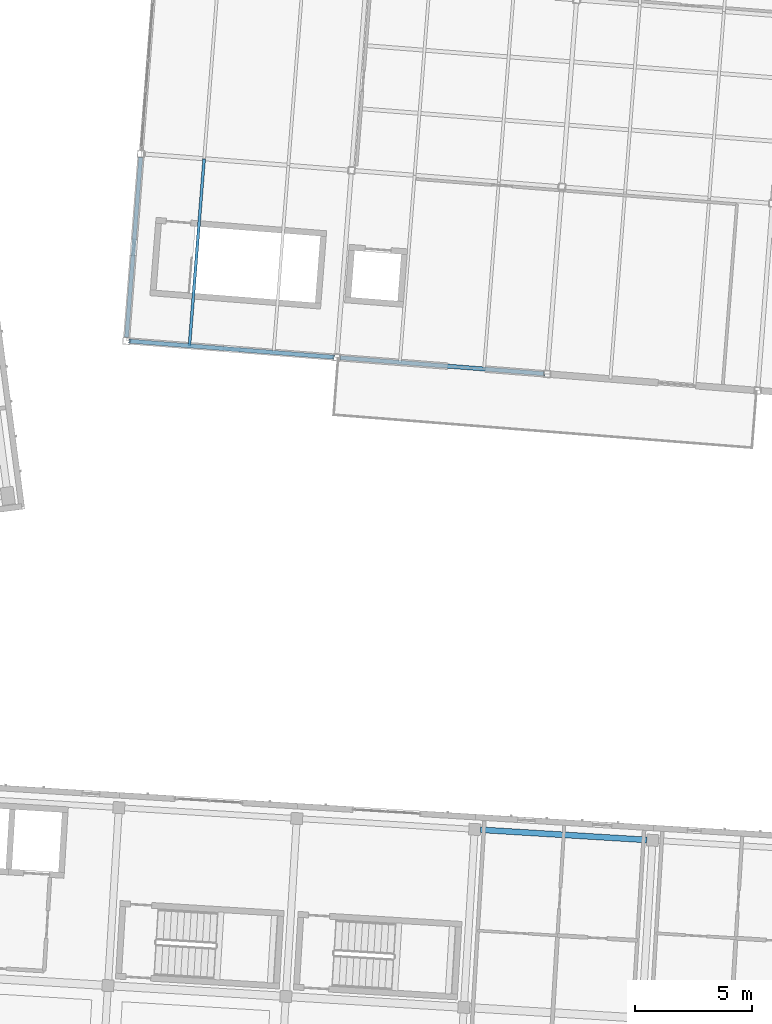
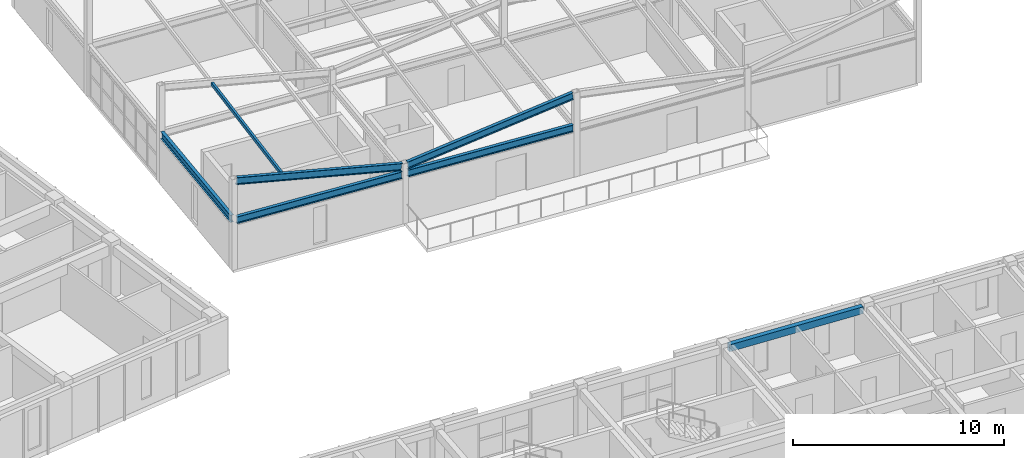
# One storey, part 39 of 127: 6 beams, 1 member.
"""IFC4 building model written with IfcOpenShell, lengths in metres."""

from ifc_helpers import new_model, si_unit, direction, frame, origin, origin_2d, place, context, subcontext, project, spatial, rectangle, hollow_rectangle, i_section, extrude, material, material_profile, profile_set, type_object, element, save


model = new_model("IFC4")

# Units and contexts
model_context = context("Model", 3, precision=1e-05, world=origin(), true_north=direction((0.0, 1.0)))
body_context = subcontext(model_context, "Body", "Model", "MODEL_VIEW")
ifc_project = project(units=[si_unit("LENGTHUNIT", "METRE"), si_unit("AREAUNIT", "SQUARE_METRE"), si_unit("VOLUMEUNIT", "CUBIC_METRE"), si_unit("PLANEANGLEUNIT", "RADIAN"), si_unit("MASSUNIT", "GRAM", prefix="KILO")], contexts=[model_context])

# Site, building, storey
site_placement = place(None, origin())
site = spatial("IfcSite", under=ifc_project, at=site_placement, CompositionType="ELEMENT")
building_placement = place(site_placement, origin())
building = spatial("IfcBuilding", under=site, at=building_placement, Name="Kestramere Prow Commons", CompositionType="ELEMENT")
storey_placement = place(building_placement, frame((0.0, 0.0, 8.39990234375)))
storey = spatial("IfcBuildingStorey", under=building, at=storey_placement, Name="L02", CompositionType="ELEMENT", Elevation=8.39990234375)

# Beams
ifc_material_1 = material(Name="Steel S355JR", Category="steel")
ifc_material_profile_1 = material_profile(ifc_material_1, i_section(OverallWidth=0.177978515625, OverallDepth=0.406494140625, WebThickness=0.0078125, FlangeThickness=0.0126953125, FilletRadius=0.01025390625, at=origin_2d()), Name="UB 406x178x60")
ifc_profile_set_1 = profile_set([ifc_material_profile_1], Name="Steel S355JR")
beam_type_1 = type_object("IfcBeamType", Name="BM-NR-01 UB 406x178x60 (EX)", PredefinedType="BEAM", material=ifc_profile_set_1)
beam_1_placement = place(storey_placement, frame((68.74951171875, 85.48828125, 2.796875), z_axis=(0.996917066238, -0.078462494502, 0.0), x_axis=(0.078462494502, 0.996917066238, 0.0)))
element("IfcBeam", 1, at=beam_1_placement, inside=storey, type_object=beam_type_1, Name="Nursery L02 Beam U 1-1", PredefinedType="BEAM", context=body_context, shape_type="SweptSolid", body=[
    extrude(i_section(OverallWidth=0.177978515625, OverallDepth=0.406494140625, WebThickness=0.0078125, FlangeThickness=0.0126953125, FilletRadius=0.01025390625, at=origin_2d()), origin(), (0.0, 0.0, 1.0), 8.699951171875),
])
beam_2_placement = place(storey_placement, frame((77.7216796875, 84.781982421875, 2.796875), z_axis=(0.996919433544, -0.078432410537, 0.0), x_axis=(0.078432410537, 0.996919433544, 0.0)))
element("IfcBeam", 2, at=beam_2_placement, inside=storey, type_object=beam_type_1, Name="Nursery L02 Beam U 1-2", PredefinedType="BEAM", context=body_context, shape_type="SweptSolid", body=[
    extrude(i_section(OverallWidth=0.177978515625, OverallDepth=0.406494140625, WebThickness=0.0078125, FlangeThickness=0.0126953125, FilletRadius=0.01025390625, at=origin_2d()), origin(), (0.0, 0.0, 1.0), 8.7001953125),
])
beam_3_placement = place(storey_placement, frame((68.61181640625, 85.649658203125, 2.796875), z_axis=(0.078444588533, 0.996918475368, 0.0), x_axis=(-0.996918475368, 0.078444588533, 0.0)))
element("IfcBeam", 3, at=beam_3_placement, inside=storey, type_object=beam_type_1, Name="Nursery L02 Beam V 1-1", PredefinedType="BEAM", context=body_context, shape_type="SweptSolid", body=[
    extrude(i_section(OverallWidth=0.177978515625, OverallDepth=0.406494140625, WebThickness=0.0078125, FlangeThickness=0.0126953125, FilletRadius=0.01025390625, at=origin_2d()), origin(), (0.0, 0.0, 1.0), 7.69970703125),
])
beam_4_placement = place(storey_placement, frame((68.74951171875, 85.48828125, 5.06689453125), z_axis=(0.976239954943, -0.076835099621, -0.20261272872), x_axis=(0.078462494502, 0.996917066238, 0.0)))
element("IfcBeam", 4, at=beam_4_placement, inside=storey, type_object=beam_type_1, Name="Nursery Butterfly Rafter 1-1", PredefinedType="BEAM", context=body_context, shape_type="SweptSolid", body=[
    extrude(i_section(OverallWidth=0.177978515625, OverallDepth=0.406494140625, WebThickness=0.0078125, FlangeThickness=0.0126953125, FilletRadius=0.01025390625, at=origin_2d()), origin(), (0.0, 0.0, 1.0), 8.88427734375),
])
beam_5_placement = place(storey_placement, frame((77.7216796875, 84.781982421875, 3.266845703125), z_axis=(0.98425496794, -0.077436036576, 0.158889327285), x_axis=(0.078432410537, 0.996919433544, 0.0)))
element("IfcBeam", 5, at=beam_5_placement, inside=storey, type_object=beam_type_1, Name="Nursery Butterfly Rafter 1-2", PredefinedType="BEAM", context=body_context, shape_type="SweptSolid", body=[
    extrude(i_section(OverallWidth=0.177978515625, OverallDepth=0.406494140625, WebThickness=0.0078125, FlangeThickness=0.0126953125, FilletRadius=0.01025390625, at=origin_2d()), origin(), (0.0, 0.0, 1.0), 8.81201171875),
])

# Member
ifc_material_profile_2 = material_profile(ifc_material_1, hollow_rectangle(XDim=0.1201171875, YDim=0.199951171875, WallThickness=0.008056640625, at=origin_2d()), Name="RHS 200x120x8")
ifc_profile_set_2 = profile_set([ifc_material_profile_2], Name="Steel S355JR")
member_type = type_object("IfcMemberType", Name="PUR-NR-01 RHS 200x120x8", PredefinedType="PURLIN", material=ifc_profile_set_2)
member_placement = place(storey_placement, frame((71.292236328125, 85.296142578125, 4.46728515625), z_axis=(0.078374248355, 0.995774452398, 0.047861436934), x_axis=(-0.996916934406, 0.078464169489, 0.0)))
element("IfcMember", 6, at=member_placement, inside=storey, type_object=member_type, Name="Nursery Roof Purlin 1-1-3", PredefinedType="PURLIN", context=body_context, shape_type="SweptSolid", body=[
    extrude(hollow_rectangle(XDim=0.1201171875, YDim=0.199951171875, WallThickness=0.008056640625, at=origin_2d()), origin(), (0.0, 0.0, 1.0), 7.9931640625),
])

# Beam
ifc_material_2 = material(Name="Precast concrete C40/50", Category="concrete")
ifc_material_profile_3 = material_profile(ifc_material_2, rectangle(XDim=0.25, YDim=0.39990234375, at=origin_2d()), Name="PC-SP 250x400")
ifc_profile_set_3 = profile_set([ifc_material_profile_3], Name="Precast concrete C40/50")
beam_type_2 = type_object("IfcBeamType", Name="SP-EXT-01 PC-SP 250x400", PredefinedType="SPANDREL", material=ifc_profile_set_3)
beam_6_placement = place(storey_placement, frame((83.70361328125, 64.65625, 2.800048828125), z_axis=(0.998135568114, -0.061035953884, 0.0), x_axis=(0.061035953884, 0.998135568114, 0.0)))
element("IfcBeam", 7, at=beam_6_placement, inside=storey, type_object=beam_type_2, Name="Block C L02 Longitudinal Beam 4-4", PredefinedType="SPANDREL", context=body_context, shape_type="SweptSolid", body=[
    extrude(rectangle(XDim=0.25, YDim=0.39990234375, at=origin_2d()), origin(), (0.0, 0.0, 1.0), 7.099853515625),
])

save(model, "model.ifc")
